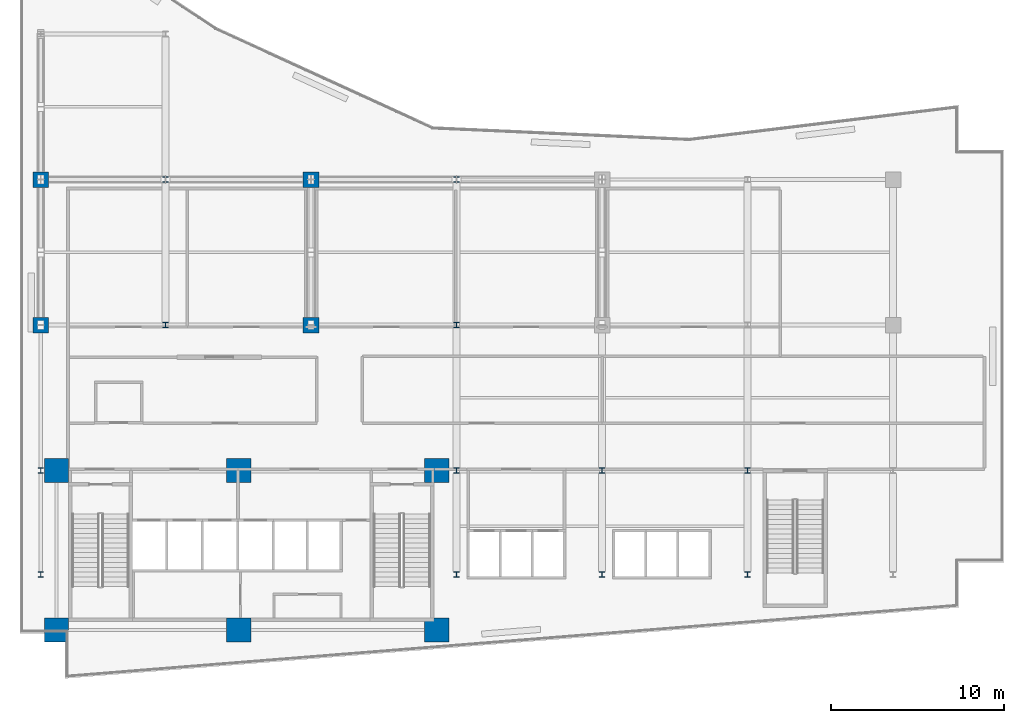
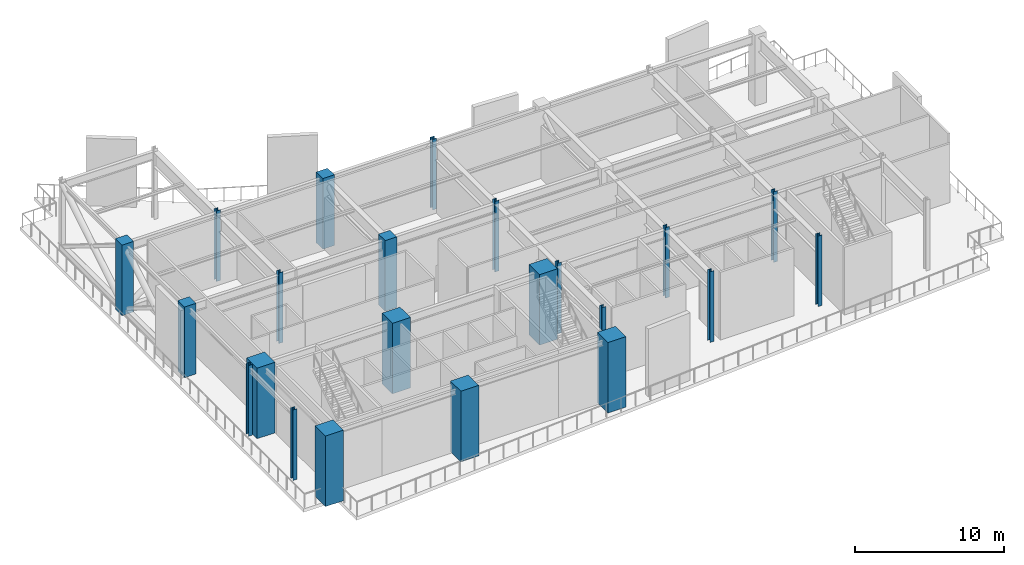
# One storey, part 1 of 14: 22 columns.
"""IFC4 building model written with IfcOpenShell, lengths in metres."""

from ifc_helpers import new_model, si_unit, direction, frame, origin, origin_2d, place, context, subcontext, project, spatial, rectangle, i_section, extrude, material, material_profile, profile_set, type_object, element, save


model = new_model("IFC4")

# Units and contexts
model_context = context("Model", 3, precision=1e-05, world=origin(), true_north=direction((0.0, 1.0)))
body_context = subcontext(model_context, "Body", "Model", "MODEL_VIEW")
ifc_project = project(units=[si_unit("LENGTHUNIT", "METRE"), si_unit("AREAUNIT", "SQUARE_METRE"), si_unit("VOLUMEUNIT", "CUBIC_METRE"), si_unit("PLANEANGLEUNIT", "RADIAN"), si_unit("MASSUNIT", "GRAM", prefix="KILO")], contexts=[model_context])

# Site, building, storey
site_placement = place(None, origin())
site = spatial("IfcSite", under=ifc_project, at=site_placement, CompositionType="ELEMENT")
building_placement = place(site_placement, origin())
building = spatial("IfcBuilding", under=site, at=building_placement, Name="Varnakote Quay Hospital", CompositionType="ELEMENT")
storey_placement = place(building_placement, frame((0.0, 0.0, 97.550048828125)))
storey = spatial("IfcBuildingStorey", under=building, at=storey_placement, Name="L24", CompositionType="ELEMENT", Elevation=97.550048828125)

# Columns
ifc_material_1 = material(Name="Concrete N80 (f'c 80 MPa)", Category="concrete")
ifc_material_profile_1 = material_profile(ifc_material_1, rectangle(XDim=1.39990234375, YDim=1.39990234375, at=origin_2d()), Name="RC-COL-1400x1400")
ifc_profile_set_1 = profile_set([ifc_material_profile_1], Name="Concrete N80 (f'c 80 MPa)")
column_type_1 = type_object("IfcColumnType", Name="COL-RC-1400", PredefinedType="COLUMN", material=ifc_profile_set_1)
for number, where, z_axis, x_axis, name in (
    (1, (2.10009765625, 2.800048828125, 0.0), (0.0, 0.0, 1.0), (1.0, 0.0, 0.0), "L24 Structural Column C-2-3"),
    (2, (12.6201171875, 2.800048828125, 0.0), (0.0, 0.0, 1.0), (1.0, 0.0, 0.0), "L24 Structural Column C-13-3"),
    (3, (24.050048828125, 2.800048828125, 0.0), (0.0, 0.0, 1.0), (1.0, 0.0, 0.0), "L24 Structural Column C-24-3"),
    (4, (2.10009765625, 12.0, 0.0), (0.0, 0.0, 1.0), (1.0, 0.0, 0.0), "L24 Structural Column C-2-12"),
    (5, (12.6201171875, 12.0, 0.0), (0.0, 0.0, 1.0), (1.0, 0.0, 0.0), "L24 Structural Column C-13-12"),
    (6, (24.050048828125, 12.0, 0.0), (0.0, 0.0, 1.0), (1.0, 0.0, 0.0), "L24 Structural Column C-24-12"),
):
    element("IfcColumn", number, at=place(storey_placement, frame(where, z_axis=z_axis, x_axis=x_axis)), inside=storey, type_object=column_type_1, Name=name, PredefinedType="COLUMN", context=body_context, shape_type="SweptSolid", body=[
        extrude(rectangle(XDim=1.39990234375, YDim=1.39990234375, at=origin_2d()), origin(), (0.0, 0.0, 1.0), 5.800048828125),
    ])
ifc_material_2 = material(Name="Concrete N50 (f'c 50 MPa)", Category="concrete")
ifc_material_profile_2 = material_profile(ifc_material_2, rectangle(XDim=0.89990234375, YDim=0.89990234375, at=origin_2d()), Name="RC-COL-900x900")
ifc_profile_set_2 = profile_set([ifc_material_profile_2], Name="Concrete N50 (f'c 50 MPa)")
column_type_2 = type_object("IfcColumnType", Name="COL-RC-900", PredefinedType="COLUMN", material=ifc_profile_set_2)
for number, where, z_axis, x_axis, name in (
    (7, (1.199951171875, 20.39990234375, 0.0), (0.0, 0.0, 1.0), (1.0, 0.0, 0.0), "L24 Structural Column C-1-20"),
    (8, (16.800048828125, 20.39990234375, 0.0), (0.0, 0.0, 1.0), (1.0, 0.0, 0.0), "L24 Structural Column C-17-20"),
    (9, (1.199951171875, 28.800048828125, 0.0), (0.0, 0.0, 1.0), (1.0, 0.0, 0.0), "L24 Structural Column C-1-29"),
    (10, (16.800048828125, 28.800048828125, 0.0), (0.0, 0.0, 1.0), (1.0, 0.0, 0.0), "L24 Structural Column C-17-29"),
):
    element("IfcColumn", number, at=place(storey_placement, frame(where, z_axis=z_axis, x_axis=x_axis)), inside=storey, type_object=column_type_2, Name=name, PredefinedType="COLUMN", context=body_context, shape_type="SweptSolid", body=[
        extrude(rectangle(XDim=0.89990234375, YDim=0.89990234375, at=origin_2d()), origin(), (0.0, 0.0, 1.0), 5.800048828125),
    ])
ifc_material_3 = material(Name="Structural steel AS/NZS 3679.1 Grade 350 L0 (fy 340 MPa)", Category="steel")
ifc_material_profile_3 = material_profile(ifc_material_3, i_section(OverallWidth=0.31103515625, OverallDepth=0.326904296875, WebThickness=0.015625, FlangeThickness=0.02490234375, FilletRadius=0.0166015625, at=origin_2d()), Name="310UC158")
ifc_profile_set_3 = profile_set([ifc_material_profile_3], Name="Structural steel AS/NZS 3679.1 Grade 350 L0 (fy 340 MPa)")
column_type_3 = type_object("IfcColumnType", Name="COL-STL-310UC158", PredefinedType="COLUMN", material=ifc_profile_set_3)
for number, where, z_axis, x_axis, name in (
    (11, (1.199951171875, 6.0, 0.0), (0.0, 0.0, 1.0), (1.0, 0.0, 0.0), "L24 Structural Column C-1-6"),
    (12, (25.199951171875, 6.0, 0.0), (0.0, 0.0, 1.0), (1.0, 0.0, 0.0), "L24 Structural Column C-25-6"),
    (13, (33.60009765625, 6.0, 0.0), (0.0, 0.0, 1.0), (1.0, 0.0, 0.0), "L24 Structural Column C-34-6"),
    (14, (42.0, 6.0, 0.0), (0.0, 0.0, 1.0), (1.0, 0.0, 0.0), "L24 Structural Column C-42-6"),
    (15, (1.199951171875, 12.0, 0.0), (0.0, 0.0, 1.0), (1.0, 0.0, 0.0), "L24 Structural Column C-1-12"),
    (16, (25.199951171875, 12.0, 0.0), (0.0, 0.0, 1.0), (1.0, 0.0, 0.0), "L24 Structural Column C-25-12"),
    (17, (33.60009765625, 12.0, 0.0), (0.0, 0.0, 1.0), (1.0, 0.0, 0.0), "L24 Structural Column C-34-12"),
    (18, (42.0, 12.0, 0.0), (0.0, 0.0, 1.0), (1.0, 0.0, 0.0), "L24 Structural Column C-42-12"),
    (19, (8.39990234375, 20.39990234375, 0.0), (0.0, 0.0, 1.0), (1.0, 0.0, 0.0), "L24 Structural Column C-8-20"),
    (20, (25.199951171875, 20.39990234375, 0.0), (0.0, 0.0, 1.0), (1.0, 0.0, 0.0), "L24 Structural Column C-25-20"),
    (21, (8.39990234375, 28.800048828125, 0.0), (0.0, 0.0, 1.0), (1.0, 0.0, 0.0), "L24 Structural Column C-8-29"),
    (22, (25.199951171875, 28.800048828125, 0.0), (0.0, 0.0, 1.0), (1.0, 0.0, 0.0), "L24 Structural Column C-25-29"),
):
    element("IfcColumn", number, at=place(storey_placement, frame(where, z_axis=z_axis, x_axis=x_axis)), inside=storey, type_object=column_type_3, Name=name, PredefinedType="COLUMN", context=body_context, shape_type="SweptSolid", body=[
        extrude(i_section(OverallWidth=0.31103515625, OverallDepth=0.326904296875, WebThickness=0.015625, FlangeThickness=0.02490234375, FilletRadius=0.0166015625, at=origin_2d()), origin(), (0.0, 0.0, 1.0), 5.800048828125),
    ])

save(model, "model.ifc")
